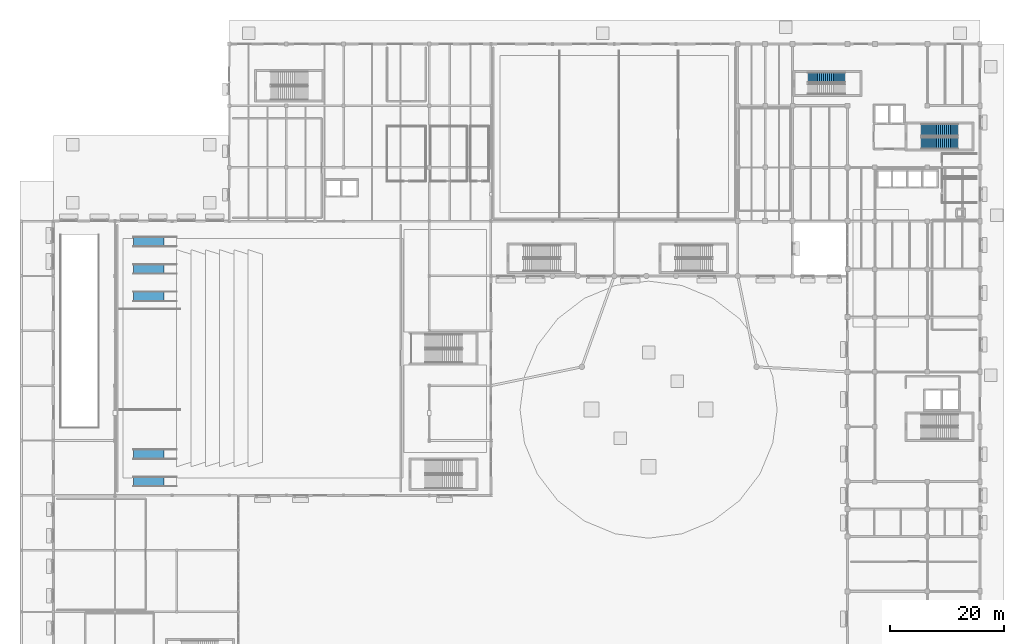
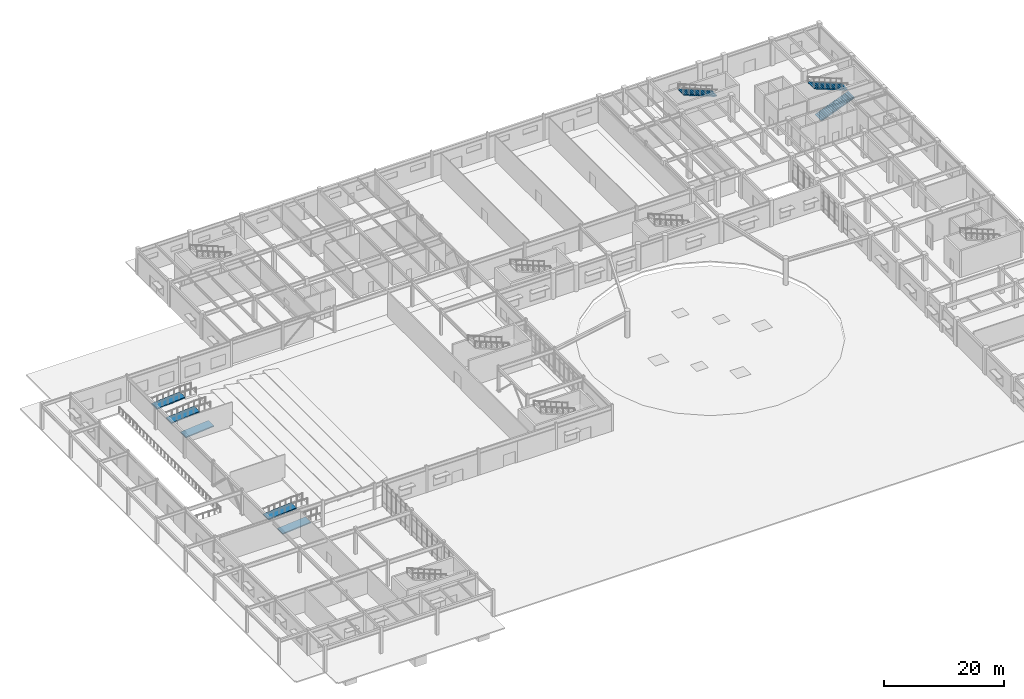
# One storey, part 38 of 54: 5 ramp flights, 3 stair flights, 7 elements without a shape of their own.
"""IFC4 building model written with IfcOpenShell, lengths in metres."""

from ifc_helpers import new_model, si_unit, direction, frame, origin, place, context, subcontext, project, spatial, polyline, outline, extrude, material, layer, layer_set, type_object, element, aggregate, save


model = new_model("IFC4")

# Units and contexts
model_context = context("Model", 3, precision=1e-05, world=origin(), true_north=direction((0.0, 1.0)))
body_context = subcontext(model_context, "Body", "Model", "MODEL_VIEW")
ifc_project = project(units=[si_unit("LENGTHUNIT", "METRE"), si_unit("AREAUNIT", "SQUARE_METRE"), si_unit("VOLUMEUNIT", "CUBIC_METRE"), si_unit("PLANEANGLEUNIT", "RADIAN"), si_unit("MASSUNIT", "GRAM", prefix="KILO")], contexts=[model_context])

# Site, building, storey
site_placement = place(None, origin())
site = spatial("IfcSite", under=ifc_project, at=site_placement, CompositionType="ELEMENT")
building_placement = place(site_placement, origin())
building = spatial("IfcBuilding", under=site, at=building_placement, Name="Veldera Park Congress Hotel", CompositionType="ELEMENT")
storey_placement = place(building_placement, origin())
storey = spatial("IfcBuildingStorey", under=building, at=storey_placement, Name="L00", CompositionType="ELEMENT", Elevation=0.0)

# Stair, stair flights
ifc_material = material(Name="Concrete f'c 40 MPa (5,800 psi)", Category="concrete")
stair_type_1 = type_object("IfcStairType", Name="ST1", PredefinedType="HALF_TURN_STAIR", material=ifc_material)
stair_1_placement = place(storey_placement, origin())
stair_1 = element("IfcStair", 1, at=stair_1_placement, inside=storey, type_object=stair_type_1, Name="L00 Protected Exit Stair ST1", PredefinedType="HALF_TURN_STAIR")
stair_flight_type_1 = type_object("IfcStairFlightType", Name="SFL-ST1", PredefinedType="STRAIGHT", material=ifc_material)
stair_flight_1_placement = place(storey_placement, frame((73.699951171875, 40.64990234375, 0.0), z_axis=(0.0, 0.0, 1.0), x_axis=(1.0, 0.0, 0.0)))
stair_flight_1 = element("IfcStairFlight", 2, at=stair_flight_1_placement, type_object=stair_flight_type_1, Name="ST1 flight 1", NumberOfRisers=20, NumberOfTreads=19, PredefinedType="STRAIGHT", RiserHeight=0.135, TreadLength=0.34, context=body_context, shape_type="SweptSolid", body=[
    extrude(outline(polyline([(0.0, 0.0), (0.0, 0.135009765625), (0.340087890625, 0.135009765625), (0.340087890625, 0.27001953125), (0.679931640625, 0.27001953125), (0.679931640625, 0.405029296875), (1.02001953125, 0.405029296875), (1.02001953125, 0.5400390625), (1.360107421875, 0.5400390625), (1.360107421875, 0.675048828125), (1.699951171875, 0.675048828125), (1.699951171875, 0.81005859375), (2.0400390625, 0.81005859375), (2.0400390625, 0.945068359375), (2.3798828125, 0.945068359375), (2.3798828125, 1.080078125), (2.719970703125, 1.080078125), (2.719970703125, 1.215087890625), (3.06005859375, 1.215087890625), (3.06005859375, 1.35009765625), (3.39990234375, 1.35009765625), (3.39990234375, 1.485107421875), (3.739990234375, 1.485107421875), (3.739990234375, 1.6201171875), (4.080078125, 1.6201171875), (4.080078125, 1.7548828125), (4.419921875, 1.7548828125), (4.419921875, 1.889892578125), (4.760009765625, 1.889892578125), (4.760009765625, 2.02490234375), (5.10009765625, 2.02490234375), (5.10009765625, 2.159912109375), (5.43994140625, 2.159912109375), (5.43994140625, 2.294921875), (5.780029296875, 2.294921875), (5.780029296875, 2.429931640625), (6.1201171875, 2.429931640625), (6.1201171875, 2.56494140625), (6.4599609375, 2.56494140625), (6.4599609375, 2.699951171875), (6.4599609375, 2.699951171875), (6.4599609375, 2.371337890625), (0.487548828125, 0.0), (0.0, 0.0)])), frame((0.0, 1.050048828125, 0.0), z_axis=(0.0, -1.0, 0.0), x_axis=(1.0, 0.0, 0.0)), (0.0, 0.0, 1.0), 2.10009765625),
])
stair_flight_2_placement = place(storey_placement, frame((80.159912109375, 42.949951171875, 2.699951171875), z_axis=(0.0, 0.0, 1.0), x_axis=(-1.0, 0.0, 0.0)))
stair_flight_2 = element("IfcStairFlight", 3, at=stair_flight_2_placement, type_object=stair_flight_type_1, Name="ST1 flight 2", NumberOfRisers=20, NumberOfTreads=19, PredefinedType="STRAIGHT", RiserHeight=0.135, TreadLength=0.34, context=body_context, shape_type="SweptSolid", body=[
    extrude(outline(polyline([(0.0, 0.0), (0.0, 0.135009765625), (0.340087890625, 0.135009765625), (0.340087890625, 0.27001953125), (0.679931640625, 0.27001953125), (0.679931640625, 0.405029296875), (1.02001953125, 0.405029296875), (1.02001953125, 0.5400390625), (1.360107421875, 0.5400390625), (1.360107421875, 0.675048828125), (1.699951171875, 0.675048828125), (1.699951171875, 0.81005859375), (2.0400390625, 0.81005859375), (2.0400390625, 0.945068359375), (2.3798828125, 0.945068359375), (2.3798828125, 1.080078125), (2.719970703125, 1.080078125), (2.719970703125, 1.215087890625), (3.06005859375, 1.215087890625), (3.06005859375, 1.35009765625), (3.39990234375, 1.35009765625), (3.39990234375, 1.485107421875), (3.739990234375, 1.485107421875), (3.739990234375, 1.6201171875), (4.080078125, 1.6201171875), (4.080078125, 1.7548828125), (4.419921875, 1.7548828125), (4.419921875, 1.889892578125), (4.760009765625, 1.889892578125), (4.760009765625, 2.02490234375), (5.10009765625, 2.02490234375), (5.10009765625, 2.159912109375), (5.43994140625, 2.159912109375), (5.43994140625, 2.294921875), (5.780029296875, 2.294921875), (5.780029296875, 2.429931640625), (6.1201171875, 2.429931640625), (6.1201171875, 2.56494140625), (6.4599609375, 2.56494140625), (6.4599609375, 2.699951171875), (6.4599609375, 2.699951171875), (6.4599609375, 2.371337890625), (0.487548828125, 0.0), (0.0, 0.0)])), frame((0.0, 1.050048828125, 0.0), z_axis=(0.0, -1.0, 0.0), x_axis=(1.0, 0.0, 0.0)), (0.0, 0.0, 1.0), 2.10009765625),
])
aggregate(stair_1, [stair_flight_1, stair_flight_2])

# Stair, stair flight
stair_type_2 = type_object("IfcStairType", Name="ST3", PredefinedType="HALF_TURN_STAIR", material=ifc_material)
stair_2_placement = place(storey_placement, origin())
stair_2 = element("IfcStair", 4, at=stair_2_placement, inside=storey, type_object=stair_type_2, Name="L00 Protected Exit Stair ST3", PredefinedType="HALF_TURN_STAIR")
stair_flight_type_2 = type_object("IfcStairFlightType", Name="SFL-ST3", PredefinedType="STRAIGHT", material=ifc_material)
stair_flight_3_placement = place(storey_placement, frame((60.360107421875, 52.10009765625, 2.699951171875), z_axis=(0.0, 0.0, 1.0), x_axis=(-1.0, 0.0, 0.0)))
stair_flight_3 = element("IfcStairFlight", 5, at=stair_flight_3_placement, type_object=stair_flight_type_2, Name="ST3 flight 2", NumberOfRisers=20, NumberOfTreads=19, PredefinedType="STRAIGHT", RiserHeight=0.135, TreadLength=0.34, context=body_context, shape_type="SweptSolid", body=[
    extrude(outline(polyline([(0.0, 0.0), (0.0, 0.135009765625), (0.340087890625, 0.135009765625), (0.340087890625, 0.27001953125), (0.679931640625, 0.27001953125), (0.679931640625, 0.405029296875), (1.02001953125, 0.405029296875), (1.02001953125, 0.5400390625), (1.360107421875, 0.5400390625), (1.360107421875, 0.675048828125), (1.699951171875, 0.675048828125), (1.699951171875, 0.81005859375), (2.0400390625, 0.81005859375), (2.0400390625, 0.945068359375), (2.3798828125, 0.945068359375), (2.3798828125, 1.080078125), (2.719970703125, 1.080078125), (2.719970703125, 1.215087890625), (3.06005859375, 1.215087890625), (3.06005859375, 1.35009765625), (3.39990234375, 1.35009765625), (3.39990234375, 1.485107421875), (3.739990234375, 1.485107421875), (3.739990234375, 1.6201171875), (4.080078125, 1.6201171875), (4.080078125, 1.7548828125), (4.419921875, 1.7548828125), (4.419921875, 1.889892578125), (4.760009765625, 1.889892578125), (4.760009765625, 2.02490234375), (5.10009765625, 2.02490234375), (5.10009765625, 2.159912109375), (5.43994140625, 2.159912109375), (5.43994140625, 2.294921875), (5.780029296875, 2.294921875), (5.780029296875, 2.429931640625), (6.1201171875, 2.429931640625), (6.1201171875, 2.56494140625), (6.4599609375, 2.56494140625), (6.4599609375, 2.699951171875), (6.4599609375, 2.699951171875), (6.4599609375, 2.371337890625), (0.487548828125, 0.0), (0.0, 0.0)])), frame((0.0, 0.89990234375, 0.0), z_axis=(0.0, -1.0, 0.0), x_axis=(1.0, 0.0, 0.0)), (0.0, 0.0, 1.0), 1.800048828125),
])
aggregate(stair_2, [stair_flight_3])

# Ramp, ramp flight
ramp_type = type_object("IfcRampType", Name="RMP-PED18", PredefinedType="STRAIGHT_RUN_RAMP", material=ifc_material)
ramp_1_placement = place(storey_placement, origin())
ramp_1 = element("IfcRamp", 6, at=ramp_1_placement, inside=storey, type_object=ramp_type, Name="Accessible 1:12 Stage/Seating Ramp 1", PredefinedType="STRAIGHT_RUN_RAMP")
ifc_layer = layer(ifc_material, 0.219970703125)
ifc_layer_set = layer_set([ifc_layer], Name="Concrete f'c 40 MPa (5,800 psi)")
ramp_flight_type = type_object("IfcRampFlightType", Name="RFL-PED18", PredefinedType="STRAIGHT", material=ifc_layer_set)
ramp_flight_1_placement = place(storey_placement, frame((-64.199951171875, -18.60009765625, 0.0), z_axis=(0.0, 0.0, 1.0), x_axis=(1.0, 0.0, 0.0)))
ramp_flight_1 = element("IfcRampFlight", 7, at=ramp_flight_1_placement, type_object=ramp_flight_type, Name="Accessible Ramp Flight 1", PredefinedType="STRAIGHT", context=body_context, shape_type="SweptSolid", body=[
    extrude(outline(polyline([(0.0, -0.219970703125), (5.39990234375, 0.22998046875), (5.39990234375, 0.449951171875), (0.0, 0.0), (0.0, -0.219970703125)])), frame((0.0, 0.89990234375, 0.0), z_axis=(0.0, -1.0, 0.0), x_axis=(1.0, 0.0, 0.0)), (0.0, 0.0, 1.0), 1.800048828125),
])
aggregate(ramp_1, [ramp_flight_1])

ramp_2_placement = place(storey_placement, origin())
ramp_2 = element("IfcRamp", 8, at=ramp_2_placement, inside=storey, type_object=ramp_type, Name="Accessible 1:12 Stage/Seating Ramp 2", PredefinedType="STRAIGHT_RUN_RAMP")
ramp_flight_2_placement = place(storey_placement, frame((-64.199951171875, -13.800048828125, 0.0), z_axis=(0.0, 0.0, 1.0), x_axis=(1.0, 0.0, 0.0)))
ramp_flight_2 = element("IfcRampFlight", 9, at=ramp_flight_2_placement, type_object=ramp_flight_type, Name="Accessible Ramp Flight 2", PredefinedType="STRAIGHT", context=body_context, shape_type="SweptSolid", body=[
    extrude(outline(polyline([(0.0, -0.219970703125), (5.39990234375, 0.22998046875), (5.39990234375, 0.449951171875), (0.0, 0.0), (0.0, -0.219970703125)])), frame((0.0, 0.89990234375, 0.0), z_axis=(0.0, -1.0, 0.0), x_axis=(1.0, 0.0, 0.0)), (0.0, 0.0, 1.0), 1.800048828125),
])
aggregate(ramp_2, [ramp_flight_2])

ramp_3_placement = place(storey_placement, origin())
ramp_3 = element("IfcRamp", 10, at=ramp_3_placement, inside=storey, type_object=ramp_type, Name="Accessible 1:12 Stage/Seating Ramp 3", PredefinedType="STRAIGHT_RUN_RAMP")
ramp_flight_3_placement = place(storey_placement, frame((-64.199951171875, 13.800048828125, 0.0), z_axis=(0.0, 0.0, 1.0), x_axis=(1.0, 0.0, 0.0)))
ramp_flight_3 = element("IfcRampFlight", 11, at=ramp_flight_3_placement, type_object=ramp_flight_type, Name="Accessible Ramp Flight 3", PredefinedType="STRAIGHT", context=body_context, shape_type="SweptSolid", body=[
    extrude(outline(polyline([(0.0, -0.219970703125), (5.39990234375, 0.22998046875), (5.39990234375, 0.449951171875), (0.0, 0.0), (0.0, -0.219970703125)])), frame((0.0, 0.89990234375, 0.0), z_axis=(0.0, -1.0, 0.0), x_axis=(1.0, 0.0, 0.0)), (0.0, 0.0, 1.0), 1.800048828125),
])
aggregate(ramp_3, [ramp_flight_3])

ramp_4_placement = place(storey_placement, origin())
ramp_4 = element("IfcRamp", 12, at=ramp_4_placement, inside=storey, type_object=ramp_type, Name="Accessible 1:12 Stage/Seating Ramp 4", PredefinedType="STRAIGHT_RUN_RAMP")
ramp_flight_4_placement = place(storey_placement, frame((-64.199951171875, 18.60009765625, 0.0), z_axis=(0.0, 0.0, 1.0), x_axis=(1.0, 0.0, 0.0)))
ramp_flight_4 = element("IfcRampFlight", 13, at=ramp_flight_4_placement, type_object=ramp_flight_type, Name="Accessible Ramp Flight 4", PredefinedType="STRAIGHT", context=body_context, shape_type="SweptSolid", body=[
    extrude(outline(polyline([(0.0, -0.219970703125), (5.39990234375, 0.22998046875), (5.39990234375, 0.449951171875), (0.0, 0.0), (0.0, -0.219970703125)])), frame((0.0, 0.89990234375, 0.0), z_axis=(0.0, -1.0, 0.0), x_axis=(1.0, 0.0, 0.0)), (0.0, 0.0, 1.0), 1.800048828125),
])
aggregate(ramp_4, [ramp_flight_4])

ramp_5_placement = place(storey_placement, origin())
ramp_5 = element("IfcRamp", 14, at=ramp_5_placement, inside=storey, type_object=ramp_type, Name="Accessible 1:12 Stage/Seating Ramp 5", PredefinedType="STRAIGHT_RUN_RAMP")
ramp_flight_5_placement = place(storey_placement, frame((-64.199951171875, 23.39990234375, 0.0), z_axis=(0.0, 0.0, 1.0), x_axis=(1.0, 0.0, 0.0)))
ramp_flight_5 = element("IfcRampFlight", 15, at=ramp_flight_5_placement, type_object=ramp_flight_type, Name="Accessible Ramp Flight 5", PredefinedType="STRAIGHT", context=body_context, shape_type="SweptSolid", body=[
    extrude(outline(polyline([(0.0, -0.219970703125), (5.39990234375, 0.22998046875), (5.39990234375, 0.449951171875), (0.0, 0.0), (0.0, -0.219970703125)])), frame((0.0, 0.89990234375, 0.0), z_axis=(0.0, -1.0, 0.0), x_axis=(1.0, 0.0, 0.0)), (0.0, 0.0, 1.0), 1.800048828125),
])
aggregate(ramp_5, [ramp_flight_5])

save(model, "model.ifc")
